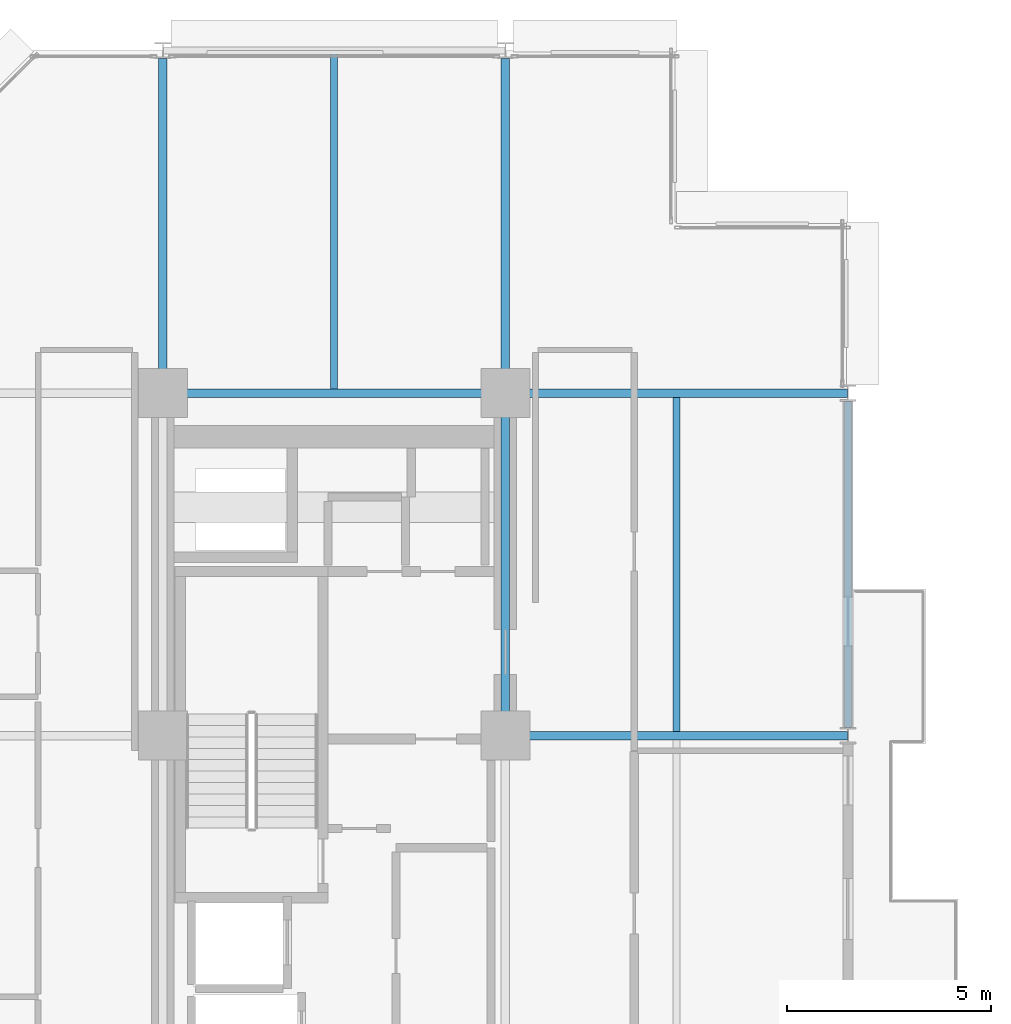
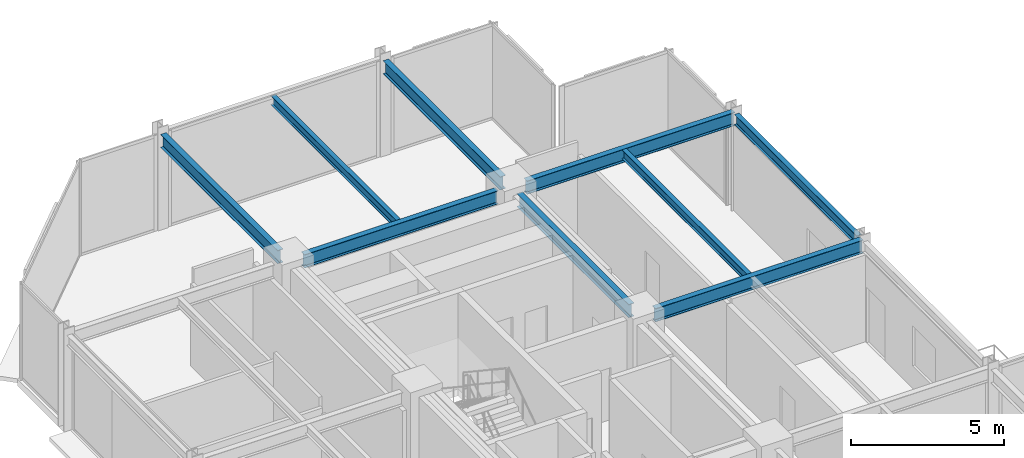
# One storey, part 19 of 30: 9 beams.
"""IFC4 building model written with IfcOpenShell, lengths in metres."""

from ifc_helpers import new_model, si_unit, direction, frame, origin, origin_2d, place, context, subcontext, project, spatial, i_section, extrude, material, material_profile, profile_set, type_object, element, save


model = new_model("IFC4")

# Units and contexts
model_context = context("Model", 3, precision=1e-05, world=origin(), true_north=direction((0.0, 1.0)))
body_context = subcontext(model_context, "Body", "Model", "MODEL_VIEW")
ifc_project = project(units=[si_unit("LENGTHUNIT", "METRE"), si_unit("AREAUNIT", "SQUARE_METRE"), si_unit("VOLUMEUNIT", "CUBIC_METRE"), si_unit("PLANEANGLEUNIT", "RADIAN"), si_unit("MASSUNIT", "GRAM", prefix="KILO")], contexts=[model_context])

# Site, building, storey
site_placement = place(None, origin())
site = spatial("IfcSite", under=ifc_project, at=site_placement, CompositionType="ELEMENT")
building_placement = place(site_placement, origin())
building = spatial("IfcBuilding", under=site, at=building_placement, Name="Nerrivon Quay Data Exchange", CompositionType="ELEMENT")
storey_placement = place(building_placement, frame((0.0, 0.0, 129.5)))
storey = spatial("IfcBuildingStorey", under=building, at=storey_placement, Name="L30", CompositionType="ELEMENT", Elevation=129.5)

# Beams
ifc_material = material(Name="Steel Grade 350", Category="steel")
ifc_material_profile_1 = material_profile(ifc_material, i_section(OverallWidth=0.208984375, OverallDepth=0.532958984375, WebThickness=0.01025390625, FlangeThickness=0.015625, FilletRadius=0.013916015625, at=origin_2d()), Name="530UB92.4")
ifc_profile_set_1 = profile_set([ifc_material_profile_1], Name="Steel Grade 350")
beam_type_1 = type_object("IfcBeamType", Name="BM-G3-530UB92", PredefinedType="BEAM", material=ifc_profile_set_1)
beam_1_placement = place(storey_placement, frame((17.340087890625, 33.60009765625, 3.55859375), z_axis=(1.0, 0.0, 0.0), x_axis=(0.0, 1.0, 0.0)))
element("IfcBeam", 1, at=beam_1_placement, inside=storey, type_object=beam_type_1, Name="L30 EW Girder Y=33.6 (16.8..25.2)", PredefinedType="BEAM", context=body_context, shape_type="SweptSolid", body=[
    extrude(i_section(OverallWidth=0.208984375, OverallDepth=0.532958984375, WebThickness=0.01025390625, FlangeThickness=0.015625, FilletRadius=0.013916015625, at=origin_2d()), origin(), (0.0, 0.0, 1.0), 7.847412109375),
])
beam_2_placement = place(storey_placement, frame((8.93994140625, 42.0, 3.55859375), z_axis=(1.0, 0.0, 0.0), x_axis=(0.0, 1.0, 0.0)))
element("IfcBeam", 2, at=beam_2_placement, inside=storey, type_object=beam_type_1, Name="L30 EW Girder Y=42.0 (8.4..16.8)", PredefinedType="BEAM", context=body_context, shape_type="SweptSolid", body=[
    extrude(i_section(OverallWidth=0.208984375, OverallDepth=0.532958984375, WebThickness=0.01025390625, FlangeThickness=0.015625, FilletRadius=0.013916015625, at=origin_2d()), origin(), (0.0, 0.0, 1.0), 7.320068359375),
])
beam_3_placement = place(storey_placement, frame((17.340087890625, 42.0, 3.55859375), z_axis=(1.0, 0.0, 0.0), x_axis=(0.0, 1.0, 0.0)))
element("IfcBeam", 3, at=beam_3_placement, inside=storey, type_object=beam_type_1, Name="L30 EW Girder Y=42.0 (16.8..25.2)", PredefinedType="BEAM", context=body_context, shape_type="SweptSolid", body=[
    extrude(i_section(OverallWidth=0.208984375, OverallDepth=0.532958984375, WebThickness=0.01025390625, FlangeThickness=0.015625, FilletRadius=0.013916015625, at=origin_2d()), origin(), (0.0, 0.0, 1.0), 7.847412109375),
])
ifc_material_profile_2 = material_profile(ifc_material, i_section(OverallWidth=0.208984375, OverallDepth=0.528076171875, WebThickness=0.009521484375, FlangeThickness=0.01318359375, FilletRadius=0.013916015625, at=origin_2d()), Name="530UB82.0")
ifc_profile_set_2 = profile_set([ifc_material_profile_2], Name="Steel Grade 350")
beam_type_2 = type_object("IfcBeamType", Name="BM-G4-530UB82", PredefinedType="BEAM", material=ifc_profile_set_2)
beam_4_placement = place(storey_placement, frame((8.39990234375, 42.5400390625, 3.56103515625), z_axis=(0.0, 1.0, 0.0), x_axis=(-1.0, 0.0, 0.0)))
element("IfcBeam", 4, at=beam_4_placement, inside=storey, type_object=beam_type_2, Name="L30 NS Girder X=8.4 (42.0..50.4)", PredefinedType="BEAM", context=body_context, shape_type="SweptSolid", body=[
    extrude(i_section(OverallWidth=0.208984375, OverallDepth=0.528076171875, WebThickness=0.009521484375, FlangeThickness=0.01318359375, FilletRadius=0.013916015625, at=origin_2d()), origin(), (0.0, 0.0, 1.0), 7.659912109375),
])
beam_5_placement = place(storey_placement, frame((16.800048828125, 34.139892578125, 3.56103515625), z_axis=(0.0, 1.0, 0.0), x_axis=(-1.0, 0.0, 0.0)))
element("IfcBeam", 5, at=beam_5_placement, inside=storey, type_object=beam_type_2, Name="L30 NS Girder X=16.8 (33.6..42.0)", PredefinedType="BEAM", context=body_context, shape_type="SweptSolid", body=[
    extrude(i_section(OverallWidth=0.208984375, OverallDepth=0.528076171875, WebThickness=0.009521484375, FlangeThickness=0.01318359375, FilletRadius=0.013916015625, at=origin_2d()), origin(), (0.0, 0.0, 1.0), 7.320068359375),
])
beam_6_placement = place(storey_placement, frame((16.800048828125, 42.5400390625, 3.56103515625), z_axis=(0.0, 1.0, 0.0), x_axis=(-1.0, 0.0, 0.0)))
element("IfcBeam", 6, at=beam_6_placement, inside=storey, type_object=beam_type_2, Name="L30 NS Girder X=16.8 (42.0..50.4)", PredefinedType="BEAM", context=body_context, shape_type="SweptSolid", body=[
    extrude(i_section(OverallWidth=0.208984375, OverallDepth=0.528076171875, WebThickness=0.009521484375, FlangeThickness=0.01318359375, FilletRadius=0.013916015625, at=origin_2d()), origin(), (0.0, 0.0, 1.0), 7.659912109375),
])
ifc_material_profile_3 = material_profile(ifc_material, i_section(OverallWidth=0.1708984375, OverallDepth=0.35595703125, WebThickness=0.00732421875, FlangeThickness=0.011474609375, FilletRadius=0.011474609375, at=origin_2d()), Name="360UB50.7")
ifc_profile_set_3 = profile_set([ifc_material_profile_3], Name="Steel Grade 350")
beam_type_3 = type_object("IfcBeamType", Name="BM-J4-360UB51", PredefinedType="JOIST", material=ifc_profile_set_3)
beam_7_placement = place(storey_placement, frame((12.60009765625, 42.1044921875, 3.64697265625), z_axis=(0.0, 1.0, 0.0), x_axis=(-1.0, 0.0, 0.0)))
element("IfcBeam", 7, at=beam_7_placement, inside=storey, type_object=beam_type_3, Name="L30 Secondary Joist X=12.6 (42.0..50.4)", PredefinedType="JOIST", context=body_context, shape_type="SweptSolid", body=[
    extrude(i_section(OverallWidth=0.1708984375, OverallDepth=0.35595703125, WebThickness=0.00732421875, FlangeThickness=0.011474609375, FilletRadius=0.011474609375, at=origin_2d()), origin(), (0.0, 0.0, 1.0), 8.20654296875),
])
beam_8_placement = place(storey_placement, frame((21.0, 33.70458984375, 3.64697265625), z_axis=(0.0, 1.0, 0.0), x_axis=(-1.0, 0.0, 0.0)))
element("IfcBeam", 8, at=beam_8_placement, inside=storey, type_object=beam_type_3, Name="L30 Secondary Joist X=21.0 (33.6..42.0)", PredefinedType="JOIST", context=body_context, shape_type="SweptSolid", body=[
    extrude(i_section(OverallWidth=0.1708984375, OverallDepth=0.35595703125, WebThickness=0.00732421875, FlangeThickness=0.011474609375, FilletRadius=0.011474609375, at=origin_2d()), origin(), (0.0, 0.0, 1.0), 8.19091796875),
])
ifc_material_profile_4 = material_profile(ifc_material, i_section(OverallWidth=0.177978515625, OverallDepth=0.403076171875, WebThickness=0.007568359375, FlangeThickness=0.010986328125, FilletRadius=0.011474609375, at=origin_2d()), Name="410UB53.7")
ifc_profile_set_4 = profile_set([ifc_material_profile_4], Name="Steel Grade 350")
beam_type_4 = type_object("IfcBeamType", Name="BM-SP2-410UB54", PredefinedType="SPANDREL", material=ifc_profile_set_4)
beam_9_placement = place(storey_placement, frame((25.199951171875, 33.800048828125, 3.62353515625), z_axis=(0.0, 1.0, 0.0), x_axis=(-1.0, 0.0, 0.0)))
element("IfcBeam", 9, at=beam_9_placement, inside=storey, type_object=beam_type_4, Name="L30 NS Girder X=25.2 (33.6..42.0)", PredefinedType="SPANDREL", context=body_context, shape_type="SweptSolid", body=[
    extrude(i_section(OverallWidth=0.177978515625, OverallDepth=0.403076171875, WebThickness=0.007568359375, FlangeThickness=0.010986328125, FilletRadius=0.011474609375, at=origin_2d()), origin(), (0.0, 0.0, 1.0), 8.0),
])

save(model, "model.ifc")
